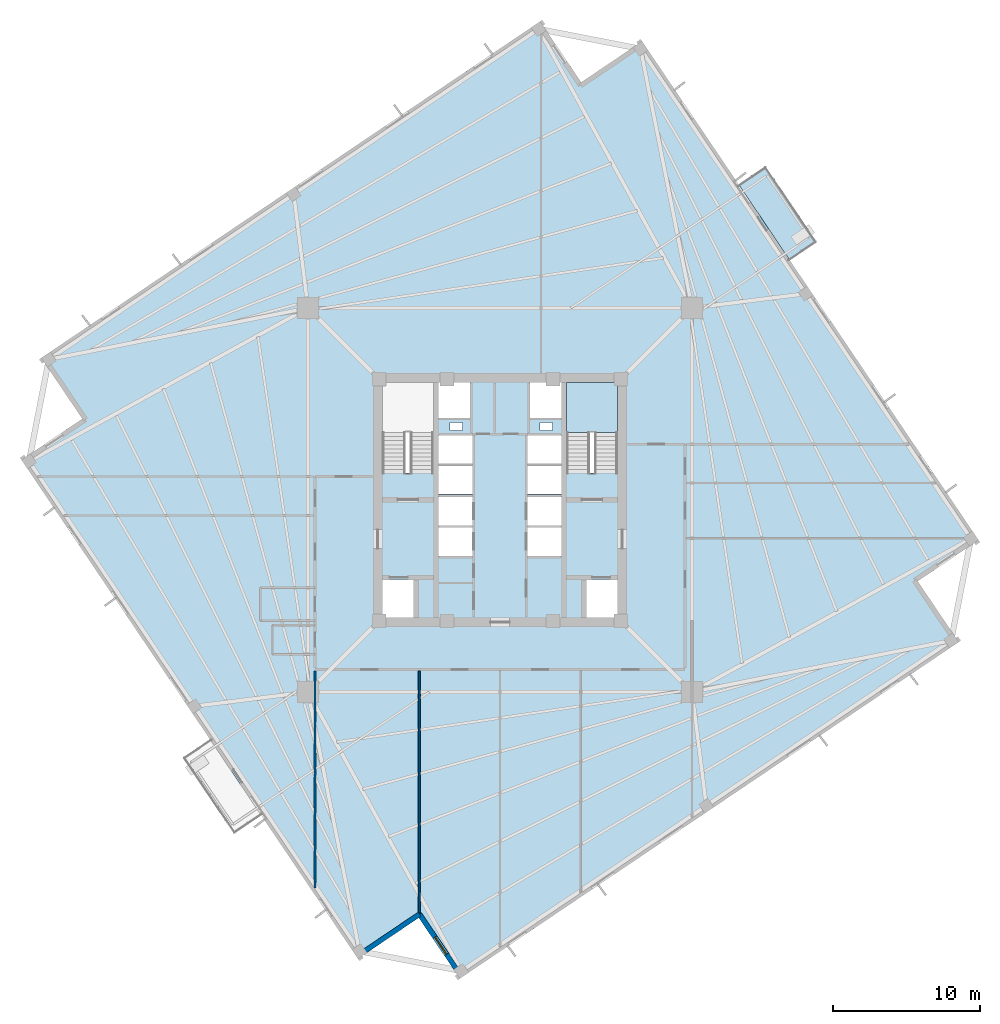
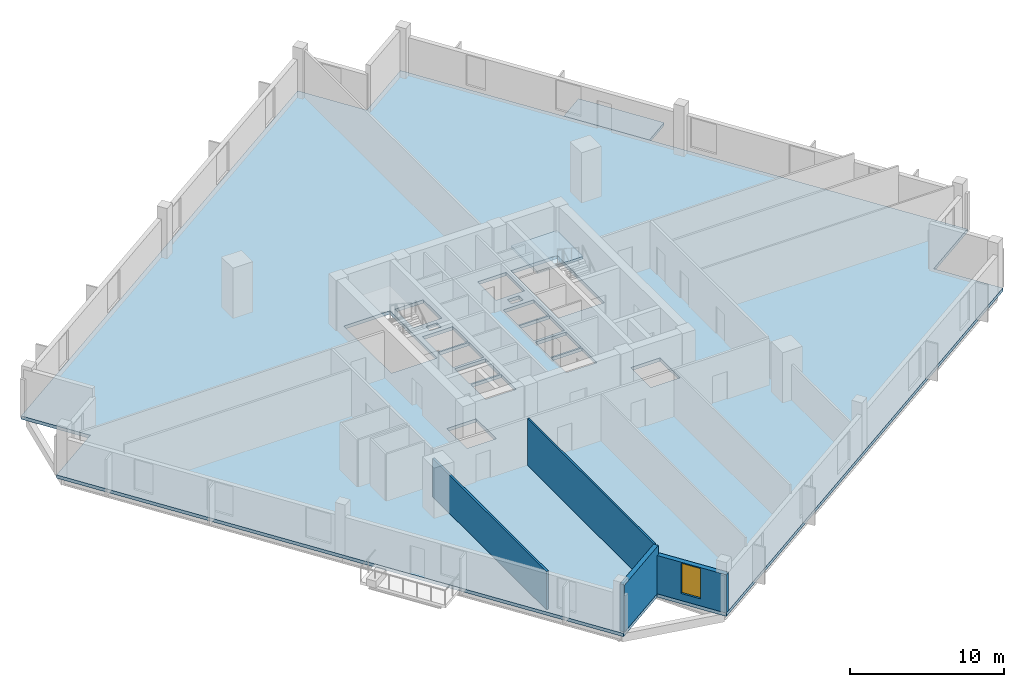
# One storey, part 2 of 9: 4 walls, 3 slabs, 1 window, 1 opening, 1 element without a shape of its own.
"""IFC4 building model written with IfcOpenShell, lengths in metres."""

from ifc_helpers import new_model, si_unit, direction, frame, frame_2d, origin, place, context, subcontext, project, spatial, polyline, rectangle, outline, extrude, source, transform, mapped, material, layer, layer_set, type_object, element, fill, aggregate, save


model = new_model("IFC4")

# Units and contexts
model_context = context("Model", 3, precision=1e-05, world=origin(), true_north=direction((0.0, 1.0)))
body_context = subcontext(model_context, "Body", "Model", "MODEL_VIEW")
ifc_project = project(units=[si_unit("LENGTHUNIT", "METRE"), si_unit("AREAUNIT", "SQUARE_METRE"), si_unit("VOLUMEUNIT", "CUBIC_METRE"), si_unit("PLANEANGLEUNIT", "RADIAN"), si_unit("MASSUNIT", "GRAM", prefix="KILO"), si_unit("THERMODYNAMICTEMPERATUREUNIT", "KELVIN")], contexts=[model_context])

# Site, building, storey
site_placement = place(None, origin())
site = spatial("IfcSite", under=ifc_project, at=site_placement, CompositionType="ELEMENT")
building_placement = place(site_placement, origin())
building = spatial("IfcBuilding", under=site, at=building_placement, Name="Kosmvard Interchange Tower", CompositionType="ELEMENT")
storey_placement = place(building_placement, frame((0.0, 0.0, 192.39990234375)))
storey = spatial("IfcBuildingStorey", under=building, at=storey_placement, Name="L46", CompositionType="ELEMENT", Elevation=192.39990234375)

# Slab
ifc_material_1 = material(Name="Concrete C50/60", Category="concrete")
ifc_layer_1 = layer(ifc_material_1, 0.260009765625, Name="Concrete C50/60")
ifc_layer_set_1 = layer_set([ifc_layer_1], Name="Concrete C50/60")
slab_type_1 = type_object("IfcSlabType", Name="Mid-Rise Office Composite Slab 260 C50/60", PredefinedType="FLOOR", material=ifc_layer_set_1)
slab_1_placement = place(storey_placement, frame((0.0, 0.0, -0.260009765625)))
element("IfcSlab", 1, at=slab_1_placement, inside=storey, type_object=slab_type_1, Name="L46 Structural Floor Slab", PredefinedType="FLOOR", context=body_context, shape_type="SweptSolid", body=[
    extrude(outline(polyline([(-2.73583984375, -32.60400390625), (31.254638671875, -9.677001953125), (28.458740234375, -5.53173828125), (32.60400390625, -2.73583984375), (9.677001953125, 31.254638671875), (5.53173828125, 28.458740234375), (2.73583984375, 32.60400390625), (-31.254638671875, 9.677001953125), (-28.458740234375, 5.53173828125), (-32.60400390625, 2.73583984375), (-9.677001953125, -31.254638671875), (-5.53173828125, -28.458740234375), (-2.73583984375, -32.60400390625)]), holes=[polyline([(-8.0, 1.8349609375), (-4.5400390625, 1.8349609375), (-4.5400390625, 8.0), (-8.0, 8.0), (-8.0, 1.8349609375)]), polyline([(4.5400390625, 1.8349609375), (8.0, 1.8349609375), (8.0, 8.0), (4.5400390625, 8.0), (4.5400390625, 1.8349609375)]), polyline([(-8.0, -8.0), (-5.800048828125, -8.0), (-5.800048828125, -5.39990234375), (-8.0, -5.39990234375), (-8.0, -8.0)]), polyline([(5.800048828125, -8.0), (8.0, -8.0), (8.0, -5.39990234375), (5.800048828125, -5.39990234375), (5.800048828125, -8.0)]), polyline([(-4.179931640625, -3.800048828125), (-1.8798828125, -3.800048828125), (-1.8798828125, -1.860107421875), (-4.179931640625, -1.860107421875), (-4.179931640625, -3.800048828125)]), polyline([(-4.179931640625, -1.739990234375), (-1.8798828125, -1.739990234375), (-1.8798828125, 0.199951171875), (-4.179931640625, 0.199951171875), (-4.179931640625, -1.739990234375)]), polyline([(1.8798828125, -3.800048828125), (4.179931640625, -3.800048828125), (4.179931640625, -1.860107421875), (1.8798828125, -1.860107421875), (1.8798828125, -3.800048828125)]), polyline([(1.8798828125, -1.739990234375), (4.179931640625, -1.739990234375), (4.179931640625, 0.199951171875), (1.8798828125, 0.199951171875), (1.8798828125, -1.739990234375)]), polyline([(-4.179931640625, 0.39990234375), (-1.8798828125, 0.39990234375), (-1.8798828125, 2.340087890625), (-4.179931640625, 2.340087890625), (-4.179931640625, 0.39990234375)]), polyline([(-4.179931640625, 2.4599609375), (-1.8798828125, 2.4599609375), (-1.8798828125, 4.39990234375), (-4.179931640625, 4.39990234375), (-4.179931640625, 2.4599609375)]), polyline([(1.8798828125, 0.39990234375), (4.179931640625, 0.39990234375), (4.179931640625, 2.340087890625), (1.8798828125, 2.340087890625), (1.8798828125, 0.39990234375)]), polyline([(1.8798828125, 2.4599609375), (4.179931640625, 2.4599609375), (4.179931640625, 4.39990234375), (1.8798828125, 4.39990234375), (1.8798828125, 2.4599609375)]), polyline([(-4.179931640625, 5.60009765625), (-2.0400390625, 5.60009765625), (-2.0400390625, 8.0), (-4.179931640625, 8.0), (-4.179931640625, 5.60009765625)]), polyline([(2.0400390625, 5.60009765625), (4.179931640625, 5.60009765625), (4.179931640625, 8.0), (2.0400390625, 8.0), (2.0400390625, 5.60009765625)]), polyline([(-3.4150390625, 4.739990234375), (-2.56494140625, 4.739990234375), (-2.56494140625, 5.2900390625), (-3.4150390625, 5.2900390625), (-3.4150390625, 4.739990234375)]), polyline([(2.715087890625, 4.739990234375), (3.56494140625, 4.739990234375), (3.56494140625, 5.2900390625), (2.715087890625, 5.2900390625), (2.715087890625, 4.739990234375)])]), origin(), (0.0, 0.0, 1.0), 0.260009765625),
])

# Stair, slab
stair_type = type_object("IfcStairType", Name="Dog-Leg Core Exit Stair H4000 C50/60", PredefinedType="HALF_TURN_STAIR", material=ifc_material_1)
stair_placement = place(storey_placement, origin())
stair = element("IfcStair", 2, at=stair_placement, inside=storey, type_object=stair_type, Name="L46 Protected Exit Stair ST-2", PredefinedType="HALF_TURN_STAIR")
ifc_layer_2 = layer(ifc_material_1, 0.199951171875, Name="Concrete C50/60")
ifc_layer_set_2 = layer_set([ifc_layer_2], Name="Concrete C50/60")
slab_type_2 = type_object("IfcSlabType", Name="Stair Half-Landing Slab 200 C50/60", PredefinedType="LANDING", material=ifc_layer_set_2)
slab_2_placement = place(storey_placement, frame((0.0, 0.0, 1.800048828125)))
slab_2 = element("IfcSlab", 3, at=slab_2_placement, type_object=slab_type_2, Name="ST-2 landing 1", PredefinedType="LANDING", context=body_context, shape_type="SweptSolid", body=[
    extrude(outline(polyline([(8.0, 4.60009765625), (8.0, 8.0), (4.5400390625, 8.0), (4.5400390625, 4.60009765625), (8.0, 4.60009765625)])), origin(), (0.0, 0.0, 1.0), 0.199951171875),
])
aggregate(stair, [slab_2])

# Slab
ifc_layer_3 = layer(ifc_material_1, 0.22998046875, Name="Concrete C50/60")
ifc_layer_set_3 = layer_set([ifc_layer_3], Name="Concrete C50/60")
slab_type_3 = type_object("IfcSlabType", Name="Tree-Planter Cantilever Balcony Slab 230 C50/60", PredefinedType="FLOOR", material=ifc_layer_set_3)
slab_3_placement = place(storey_placement, frame((0.0, 0.0, -0.22998046875)))
element("IfcSlab", 4, at=slab_3_placement, inside=storey, type_object=slab_type_3, Name="L46 Outdoor Terrace Balcony Slab BAL-L46-E", PredefinedType="FLOOR", context=body_context, shape_type="SweptSolid", body=[
    extrude(outline(polyline([(19.742431640625, 16.33203125), (21.56640625, 17.562255859375), (18.099365234375, 22.702392578125), (16.275390625, 21.47216796875), (19.742431640625, 16.33203125)])), origin(), (0.0, 0.0, 1.0), 0.22998046875),
])

# Walls
ifc_material_2 = material(Name="Acoustic gypsum partition system")
ifc_layer_4 = layer(ifc_material_2, 0.14990234375, Name="Acoustic gypsum partition system")
ifc_layer_set_4 = layer_set([ifc_layer_4], Name="Acoustic gypsum partition system")
wall_type_1 = type_object("IfcWallType", Name="Acoustic Suite & Meeting Partition 150", PredefinedType="PARTITIONING", material=ifc_layer_set_4)
wall_1_placement = place(storey_placement, frame((-12.60009765625, -26.429443359375, 0.0), z_axis=(0.0, 0.0, 1.0), x_axis=(0.0, 1.0, 0.0)))
element("IfcWall", 5, at=wall_1_placement, inside=storey, type_object=wall_type_1, Name="L46 Room Partition 06.1", PredefinedType="PARTITIONING", context=body_context, shape_type="SweptSolid", body=[
    extrude(rectangle(XDim=14.784423828125, YDim=0.14990234375, at=frame_2d((7.39208984375, 0.0))), origin(), (0.0, 0.0, 1.0), 3.0400390625),
])
ifc_material_3 = material(Name="Precast concrete C45/55", Category="concrete")
ifc_layer_5 = layer(ifc_material_3, 0.340087890625, Name="Precast concrete C45/55")
ifc_layer_set_5 = layer_set([ifc_layer_5], Name="Precast concrete C45/55")
wall_type_2 = type_object("IfcWallType", Name="Mid Tower Precast Pier Wall 340 C45/55", PredefinedType="STANDARD", material=ifc_layer_set_5)
wall_2_placement = place(storey_placement, frame((-9.631103515625, -31.018798828125, 0.0), z_axis=(0.0, 0.0, 1.0), x_axis=(0.829025804298, 0.559210350234, 0.0)))
element("IfcWall", 6, at=wall_2_placement, inside=storey, type_object=wall_type_2, Name="L46 Precast Facade Wall N-SW1", PredefinedType="STANDARD", context=body_context, shape_type="SweptSolid", body=[
    extrude(rectangle(XDim=5.000244140625, YDim=0.340087890625, at=frame_2d((2.5, 0.0))), origin(), (0.0, 0.0, 1.0), 3.739990234375),
])

# Wall, opening, window
wall_3_placement = place(storey_placement, frame((-5.48583984375, -28.22265625, 0.0), z_axis=(0.0, 0.0, 1.0), x_axis=(0.559171107879, -0.82905227345, 0.0)))
wall_3 = element("IfcWall", 7, at=wall_3_placement, inside=storey, type_object=wall_type_2, Name="L46 Precast Facade Wall N-SW2", PredefinedType="STANDARD", context=body_context, shape_type="SweptSolid", body=[
    extrude(rectangle(XDim=5.169921875, YDim=0.340087890625, at=frame_2d((2.5849609375, 0.0))), origin(), (0.0, 0.0, 1.0), 3.0400390625),
])
opening_placement = place(wall_3_placement, frame((1.885009765625, 0.0, 0.56005859375)))
opening = element("IfcOpeningElement", 8, at=opening_placement, cuts=wall_3, Name="Opening L46-W24", PredefinedType="OPENING", context=body_context, shape_type="SweptSolid", body=[
    extrude(rectangle(XDim=1.39990234375, YDim=2.39990234375, at=frame_2d((0.699951171875, 1.199951171875))), frame((0.0, 0.18017578125, 0.0), z_axis=(0.0, -1.0, 0.0), x_axis=(1.0, 0.0, 0.0)), (0.0, 0.0, 1.0), 0.360107421875),
])
ifc_material_4 = material(Name="Low-E solar-control double glazing", Category="glass")
window_type = type_object("IfcWindowType", Name="Notched Corner Feature Window 1400x2400", PartitioningType="SINGLE_PANEL", PredefinedType="WINDOW", material=ifc_material_4)
shared_shape = source(origin(), body_context, "Body", "SweptSolid", [
    extrude(rectangle(XDim=1.39990234375, YDim=2.39990234375, at=frame_2d((0.699951171875, 1.199951171875))), frame((0.0, 0.030029296875, 0.0), z_axis=(0.0, -1.0, 0.0), x_axis=(1.0, 0.0, 0.0)), (0.0, 0.0, 1.0), 0.06005859375),
])
window_placement = place(opening_placement, origin())
window = element("IfcWindow", 9, at=window_placement, inside=storey, type_object=window_type, Name="L46 Corner Notch Window 24", OverallHeight=2.39990234375, OverallWidth=1.39990234375, PartitioningType="SINGLE_PANEL", PredefinedType="WINDOW", context=body_context, shape_type="MappedRepresentation", body=[
    mapped(shared_shape, transform((0.0, 0.0, 0.0), scale=1.0)),
])
fill(opening, window)

# Wall
ifc_material_5 = material(Name="Gypsum board partition system")
ifc_layer_6 = layer(ifc_material_5, 0.1201171875, Name="Gypsum board partition system")
ifc_layer_set_6 = layer_set([ifc_layer_6], Name="Gypsum board partition system")
wall_type_3 = type_object("IfcWallType", Name="Office Cellular Partition 120", PredefinedType="PARTITIONING", material=ifc_layer_set_6)
wall_4_placement = place(storey_placement, frame((-5.5, -28.10546875, 0.0), z_axis=(0.0, 0.0, 1.0), x_axis=(0.0, 1.0, 0.0)))
element("IfcWall", 10, at=wall_4_placement, inside=storey, type_object=wall_type_3, Name="L46 Room Partition 07.1", PredefinedType="PARTITIONING", context=body_context, shape_type="SweptSolid", body=[
    extrude(rectangle(XDim=16.46044921875, YDim=0.1201171875, at=frame_2d((8.230224609375, 0.0))), origin(), (0.0, 0.0, 1.0), 3.739990234375),
])

save(model, "model.ifc")
